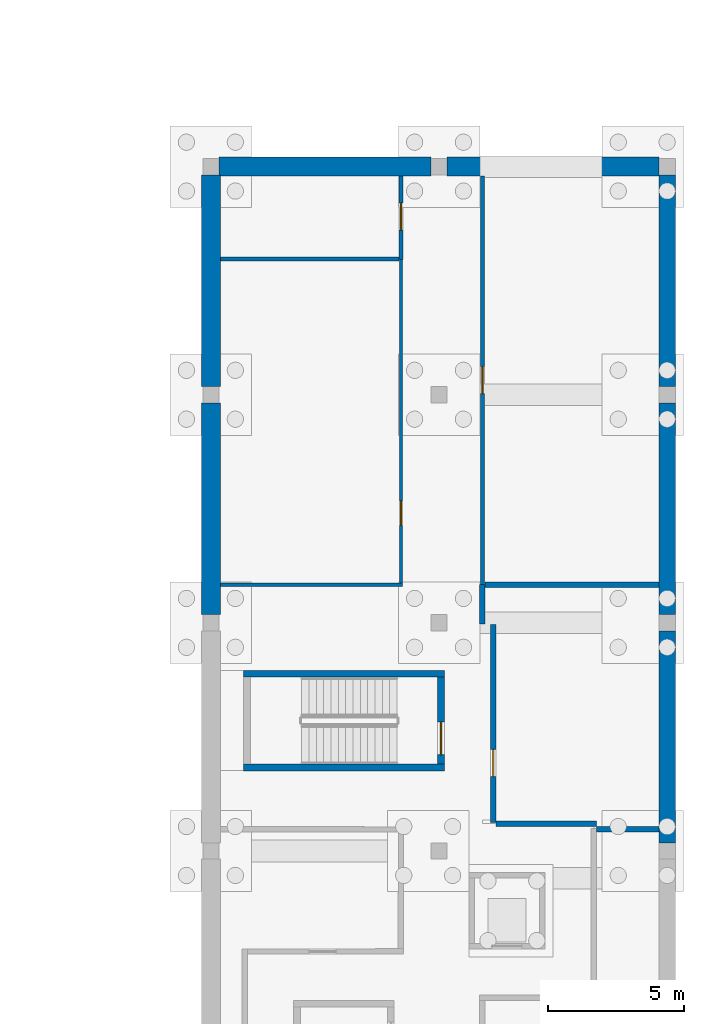
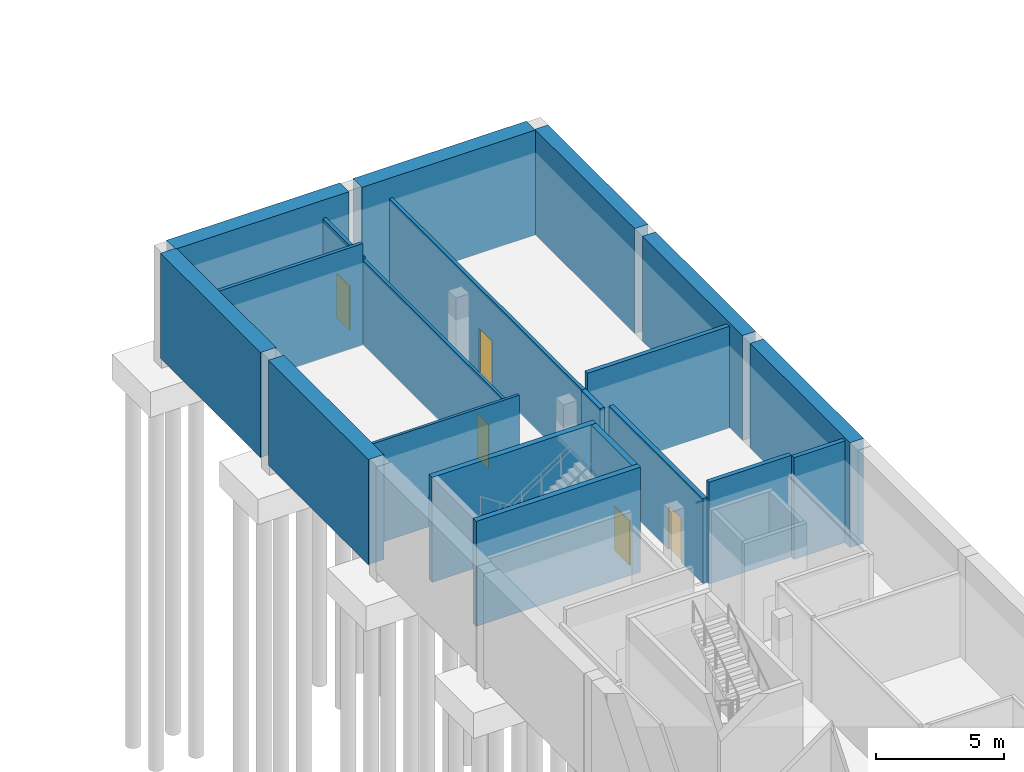
# One storey, part 13 of 33: 20 walls, 5 doors, 5 openings.
"""IFC4 building model written with IfcOpenShell, lengths in metres."""

from ifc_helpers import new_model, si_unit, direction, frame, frame_2d, origin, place, context, subcontext, project, spatial, rectangle, extrude, material, layer, layer_set, type_object, element, fill, save


model = new_model("IFC4")

# Units and contexts
model_context = context("Model", 3, precision=1e-05, world=origin(), true_north=direction((0.0, 1.0)))
body_context = subcontext(model_context, "Body", "Model", "MODEL_VIEW")
ifc_project = project(units=[si_unit("LENGTHUNIT", "METRE"), si_unit("AREAUNIT", "SQUARE_METRE"), si_unit("VOLUMEUNIT", "CUBIC_METRE"), si_unit("PLANEANGLEUNIT", "RADIAN"), si_unit("MASSUNIT", "GRAM", prefix="KILO")], contexts=[model_context])

# Site, building, storey
site_placement = place(None, origin())
site = spatial("IfcSite", under=ifc_project, at=site_placement, CompositionType="ELEMENT")
building_placement = place(site_placement, origin())
building = spatial("IfcBuilding", under=site, at=building_placement, Name="Larchfold Concert Hall", CompositionType="ELEMENT")
storey_placement = place(building_placement, frame((0.0, 0.0, -5.0)))
storey = spatial("IfcBuildingStorey", under=building, at=storey_placement, Name="B1", CompositionType="ELEMENT", Elevation=-5.0)

# Wall
ifc_material_1 = material(Name="Plasterboard partition on steel studs", Category="steel")
ifc_layer_1 = layer(ifc_material_1, 0.199951171875)
ifc_layer_set_1 = layer_set([ifc_layer_1], Name="Plasterboard partition on steel studs")
wall_type_1 = type_object("IfcWallType", Name="Acoustic partition 200", PredefinedType="PARTITIONING", material=ifc_layer_set_1)
wall_1_placement = place(storey_placement, frame((94.59912109375, 44.02001953125, 0.0), z_axis=(0.0, 0.0, 1.0), x_axis=(0.0, -1.0, 0.0)))
element("IfcWall", 1, at=wall_1_placement, inside=storey, type_object=wall_type_1, Name="Partition IW0069", PredefinedType="PARTITIONING", context=body_context, shape_type="SweptSolid", body=[
    extrude(rectangle(XDim=1.4609375, YDim=0.199951171875, at=frame_2d((0.73046875, 0.0))), origin(), (0.0, 0.0, 1.0), 4.0400390625),
])

# Wall, opening, door
wall_2_placement = place(storey_placement, frame((94.9990234375, 42.549072265625, 0.0), z_axis=(0.0, 0.0, 1.0), x_axis=(0.0, -1.0, 0.0)))
wall_2 = element("IfcWall", 2, at=wall_2_placement, inside=storey, type_object=wall_type_1, Name="Partition IW0070", PredefinedType="PARTITIONING", context=body_context, shape_type="SweptSolid", body=[
    extrude(rectangle(XDim=7.298095703125, YDim=0.199951171875, at=frame_2d((3.64892578125, 0.0))), origin(), (0.0, 0.0, 1.0), 4.0400390625),
])
opening_1_placement = place(wall_2_placement, frame((4.6083984375, 0.0, 0.0)))
opening_1 = element("IfcOpeningElement", 3, at=opening_1_placement, cuts=wall_2, Name="Opening D-B1-124", PredefinedType="OPENING", context=body_context, shape_type="SweptSolid", body=[
    extrude(rectangle(XDim=1.0, YDim=2.10009765625, at=frame_2d((0.5, 1.050048828125))), frame((0.0, 0.10986328125, 0.0), z_axis=(0.0, -1.0, 0.0), x_axis=(1.0, 0.0, 0.0)), (0.0, 0.0, 1.0), 0.219970703125),
])
ifc_material_2 = material(Name="Timber door leaf", Category="wood")
door_type_1 = type_object("IfcDoorType", Name="Practice and studio door, acoustic 1000 x 2100 FD30S", OperationType="SINGLE_SWING_LEFT", PredefinedType="DOOR", material=ifc_material_2)
door_1_placement = place(opening_1_placement, origin())
door_1 = element("IfcDoor", 4, at=door_1_placement, inside=storey, type_object=door_type_1, Name="Door D-B1-124", OperationType="SINGLE_SWING_LEFT", OverallHeight=2.10009765625, OverallWidth=1.0, PredefinedType="DOOR", context=body_context, shape_type="SweptSolid", body=[
    extrude(rectangle(XDim=1.0, YDim=2.10009765625, at=frame_2d((0.5, 1.050048828125))), frame((0.0, 0.02490234375, 0.0), z_axis=(0.0, -1.0, 0.0), x_axis=(1.0, 0.0, 0.0)), (0.0, 0.0, 1.0), 0.050048828125),
])
fill(opening_1, door_1)

# Walls
wall_3_placement = place(storey_placement, frame((95.098876953125, 35.207763671875, 0.0), z_axis=(0.0, 0.0, 1.0), x_axis=(0.999997020096, -0.002441270107, 0.0)))
element("IfcWall", 5, at=wall_3_placement, inside=storey, type_object=wall_type_1, Name="Partition IW0071", PredefinedType="PARTITIONING", context=body_context, shape_type="SweptSolid", body=[
    extrude(rectangle(XDim=3.7001953125, YDim=0.199951171875, at=frame_2d((1.85009765625, 0.0))), origin(), (0.0, 0.0, 1.0), 4.840087890625),
])
wall_4_placement = place(storey_placement, frame((98.800048828125, 35.0, 0.0), z_axis=(0.0, 0.0, 1.0), x_axis=(1.0, 0.0, 0.0)))
element("IfcWall", 6, at=wall_4_placement, inside=storey, type_object=wall_type_1, Name="Partition IW0076", PredefinedType="PARTITIONING", context=body_context, shape_type="SweptSolid", body=[
    extrude(rectangle(XDim=2.300048828125, YDim=0.199951171875, at=frame_2d((1.14990234375, 0.0))), origin(), (0.0, 0.0, 1.0), 4.840087890625),
])
wall_5_placement = place(storey_placement, frame((94.699951171875, 44.0, 0.0), z_axis=(0.0, 0.0, 1.0), x_axis=(1.0, 0.0, 0.0)))
element("IfcWall", 7, at=wall_5_placement, inside=storey, type_object=wall_type_1, Name="Partition IW0077", PredefinedType="PARTITIONING", context=body_context, shape_type="SweptSolid", body=[
    extrude(rectangle(XDim=6.400146484375, YDim=0.199951171875, at=frame_2d((3.2001953125, 0.0))), origin(), (0.0, 0.0, 1.0), 4.840087890625),
])
ifc_material_3 = material(Name="Plasterboard partition on steel studs", Category="steel")
ifc_layer_2 = layer(ifc_material_3, 0.125)
ifc_layer_set_2 = layer_set([ifc_layer_2], Name="Plasterboard partition on steel studs")
wall_type_2 = type_object("IfcWallType", Name="Corridor partition 125 EI 60", PredefinedType="PARTITIONING", material=ifc_layer_set_2)
wall_6_placement = place(storey_placement, frame((84.949951171875, 44.0, 0.0), z_axis=(0.0, 0.0, 1.0), x_axis=(0.999999808801, 0.00061838408, 0.0)))
element("IfcWall", 8, at=wall_6_placement, inside=storey, type_object=wall_type_2, Name="Partition IW0073", PredefinedType="PARTITIONING", context=body_context, shape_type="SweptSolid", body=[
    extrude(rectangle(XDim=6.711669921875, YDim=0.125, at=frame_2d((3.35595703125, 0.0))), origin(), (0.0, 0.0, 1.0), 4.840087890625),
])

# Wall, opening, door
wall_7_placement = place(storey_placement, frame((91.59912109375, 44.06640625, 0.0), z_axis=(0.0, 0.0, 1.0), x_axis=(8.1970572e-05, 0.99999999664, 0.0)))
wall_7 = element("IfcWall", 9, at=wall_7_placement, inside=storey, type_object=wall_type_2, Name="Partition IW0074", PredefinedType="PARTITIONING", context=body_context, shape_type="SweptSolid", body=[
    extrude(rectangle(XDim=11.91357421875, YDim=0.125, at=frame_2d((5.956787109375, 0.0))), origin(), (0.0, 0.0, 1.0), 4.0400390625),
])
opening_2_placement = place(wall_7_placement, frame((2.12353515625, 0.0, 0.0)))
opening_2 = element("IfcOpeningElement", 10, at=opening_2_placement, cuts=wall_7, Name="Opening D-B1-126", PredefinedType="OPENING", context=body_context, shape_type="SweptSolid", body=[
    extrude(rectangle(XDim=0.89990234375, YDim=2.10009765625, at=frame_2d((0.449951171875, 1.050048828125))), frame((0.0, 0.072509765625, 0.0), z_axis=(0.0, -1.0, 0.0), x_axis=(1.0, 0.0, 0.0)), (0.0, 0.0, 1.0), 0.14501953125),
])
ifc_material_4 = material(Name="Timber door leaf", Category="wood")
door_type_2 = type_object("IfcDoorType", Name="Public toilet door 900 x 2100 FD30S", OperationType="SINGLE_SWING_LEFT", PredefinedType="DOOR", material=ifc_material_4)
door_2_placement = place(opening_2_placement, origin())
door_2 = element("IfcDoor", 11, at=door_2_placement, inside=storey, type_object=door_type_2, Name="Door D-B1-126", OperationType="SINGLE_SWING_LEFT", OverallHeight=2.10009765625, OverallWidth=0.89990234375, PredefinedType="DOOR", context=body_context, shape_type="SweptSolid", body=[
    extrude(rectangle(XDim=0.89990234375, YDim=2.10009765625, at=frame_2d((0.449951171875, 1.050048828125))), frame((0.0, 0.02490234375, 0.0), z_axis=(0.0, -1.0, 0.0), x_axis=(1.0, 0.0, 0.0)), (0.0, 0.0, 1.0), 0.050048828125),
])
fill(opening_2, door_2)

ifc_material_5 = material(Name="Plasterboard partition on steel studs", Category="steel")
ifc_layer_3 = layer(ifc_material_5, 0.14990234375)
ifc_layer_set_3 = layer_set([ifc_layer_3], Name="Plasterboard partition on steel studs")
wall_type_3 = type_object("IfcWallType", Name="Shaft and plant partition 150 EI 120", PredefinedType="PARTITIONING", material=ifc_layer_set_3)
wall_8_placement = place(storey_placement, frame((91.60009765625, 55.97998046875, 0.0), z_axis=(0.0, 0.0, 1.0), x_axis=(0.0, 1.0, 0.0)))
wall_8 = element("IfcWall", 12, at=wall_8_placement, inside=storey, type_object=wall_type_3, Name="Partition IW0072", PredefinedType="PARTITIONING", context=body_context, shape_type="SweptSolid", body=[
    extrude(rectangle(XDim=3.070068359375, YDim=0.14990234375, at=frame_2d((1.53515625, 0.0))), origin(), (0.0, 0.0, 1.0), 4.139892578125),
])
opening_3_placement = place(wall_8_placement, frame((1.079833984375, 0.0, 0.0)))
opening_3 = element("IfcOpeningElement", 13, at=opening_3_placement, cuts=wall_8, Name="Opening D-B1-125", PredefinedType="OPENING", context=body_context, shape_type="SweptSolid", body=[
    extrude(rectangle(XDim=1.0, YDim=2.10009765625, at=frame_2d((0.5, 1.050048828125))), frame((0.0, 0.0849609375, 0.0), z_axis=(0.0, -1.0, 0.0), x_axis=(1.0, 0.0, 0.0)), (0.0, 0.0, 1.0), 0.169921875),
])
ifc_material_6 = material(Name="Timber door leaf", Category="wood")
door_type_3 = type_object("IfcDoorType", Name="Store door 1000 x 2100 FD60", OperationType="SINGLE_SWING_LEFT", PredefinedType="DOOR", material=ifc_material_6)
door_3_placement = place(opening_3_placement, origin())
door_3 = element("IfcDoor", 14, at=door_3_placement, inside=storey, type_object=door_type_3, Name="Door D-B1-125", OperationType="SINGLE_SWING_LEFT", OverallHeight=2.10009765625, OverallWidth=1.0, PredefinedType="DOOR", context=body_context, shape_type="SweptSolid", body=[
    extrude(rectangle(XDim=1.0, YDim=2.10009765625, at=frame_2d((0.5, 1.050048828125))), frame((0.0, 0.02490234375, 0.0), z_axis=(0.0, -1.0, 0.0), x_axis=(1.0, 0.0, 0.0)), (0.0, 0.0, 1.0), 0.050048828125),
])
fill(opening_3, door_3)

wall_9_placement = place(storey_placement, frame((94.60009765625, 59.050048828125, 0.0), z_axis=(0.0, 0.0, 1.0), x_axis=(-6.4974091e-05, -0.999999997889, 0.0)))
wall_9 = element("IfcWall", 15, at=wall_9_placement, inside=storey, type_object=wall_type_3, Name="Partition IW0075", PredefinedType="PARTITIONING", context=body_context, shape_type="SweptSolid", body=[
    extrude(rectangle(XDim=15.030029296875, YDim=0.14990234375, at=frame_2d((7.51513671875, 0.0))), origin(), (0.0, 0.0, 1.0), 4.0400390625),
])
opening_4_placement = place(wall_9_placement, frame((7.009521484375, 0.0, 0.0)))
opening_4 = element("IfcOpeningElement", 16, at=opening_4_placement, cuts=wall_9, Name="Opening D-B1-127", PredefinedType="OPENING", context=body_context, shape_type="SweptSolid", body=[
    extrude(rectangle(XDim=1.0, YDim=2.10009765625, at=frame_2d((0.5, 1.050048828125))), frame((0.0, 0.0849609375, 0.0), z_axis=(0.0, -1.0, 0.0), x_axis=(1.0, 0.0, 0.0)), (0.0, 0.0, 1.0), 0.169921875),
])
door_4_placement = place(opening_4_placement, origin())
door_4 = element("IfcDoor", 17, at=door_4_placement, inside=storey, type_object=door_type_3, Name="Door D-B1-127", OperationType="SINGLE_SWING_LEFT", OverallHeight=2.10009765625, OverallWidth=1.0, PredefinedType="DOOR", context=body_context, shape_type="SweptSolid", body=[
    extrude(rectangle(XDim=1.0, YDim=2.10009765625, at=frame_2d((0.5, 1.050048828125))), frame((0.0, 0.02490234375, 0.0), z_axis=(0.0, -1.0, 0.0), x_axis=(1.0, 0.0, 0.0)), (0.0, 0.0, 1.0), 0.050048828125),
])
fill(opening_4, door_4)

# Walls
wall_10_placement = place(storey_placement, frame((91.52490234375, 56.0, 0.0), z_axis=(0.0, 0.0, 1.0), x_axis=(-1.0, 0.0, 0.0)))
element("IfcWall", 18, at=wall_10_placement, inside=storey, type_object=wall_type_3, Name="Partition IW0078", PredefinedType="PARTITIONING", context=body_context, shape_type="SweptSolid", body=[
    extrude(rectangle(XDim=6.574951171875, YDim=0.14990234375, at=frame_2d((3.28759765625, 0.0))), origin(), (0.0, 0.0, 1.0), 4.840087890625),
])
ifc_material_7 = material(Name="Concrete C40/50", Category="concrete")
ifc_layer_4 = layer(ifc_material_7, 0.25)
ifc_layer_set_4 = layer_set([ifc_layer_4], Name="Concrete C40/50")
wall_type_4 = type_object("IfcWallType", Name="Wall RC 250 stair core", PredefinedType="SOLIDWALL", material=ifc_layer_set_4)
for number, where, z_axis, x_axis, name in (
    (19, (85.800048828125, 37.27490234375, 0.0), (0.0, 0.0, 1.0), (1.0, 0.0, 0.0), "Wall W0160"),
    (20, (85.800048828125, 40.72509765625, 0.0), (0.0, 0.0, 1.0), (1.0, 0.0, 0.0), "Wall W0161"),
):
    element("IfcWall", number, at=place(storey_placement, frame(where, z_axis=z_axis, x_axis=x_axis)), inside=storey, type_object=wall_type_4, Name=name, PredefinedType="SOLIDWALL", context=body_context, shape_type="SweptSolid", body=[
        extrude(rectangle(XDim=7.39990234375, YDim=0.25, at=frame_2d((3.699951171875, 0.0))), origin(), (0.0, 0.0, 1.0), 5.0),
    ])

# Wall, opening, door
wall_11_placement = place(storey_placement, frame((93.074951171875, 37.39990234375, 0.0), z_axis=(0.0, 0.0, 1.0), x_axis=(0.0, 1.0, 0.0)))
wall_11 = element("IfcWall", 21, at=wall_11_placement, inside=storey, type_object=wall_type_4, Name="Wall W0163", PredefinedType="SOLIDWALL", context=body_context, shape_type="SweptSolid", body=[
    extrude(rectangle(XDim=3.2001953125, YDim=0.25, at=frame_2d((1.60009765625, 0.0))), origin(), (0.0, 0.0, 1.0), 5.0),
])
opening_5_placement = place(wall_11_placement, frame((0.35009765625, 0.0, 0.0)))
opening_5 = element("IfcOpeningElement", 22, at=opening_5_placement, cuts=wall_11, Name="Opening D-B1-156", PredefinedType="OPENING", context=body_context, shape_type="SweptSolid", body=[
    extrude(rectangle(XDim=1.199951171875, YDim=2.10009765625, at=frame_2d((0.60009765625, 1.050048828125))), frame((0.0, 0.135009765625, 0.0), z_axis=(0.0, -1.0, 0.0), x_axis=(1.0, 0.0, 0.0)), (0.0, 0.0, 1.0), 0.27001953125),
])
ifc_material_8 = material(Name="Timber door leaf", Category="wood")
door_type_4 = type_object("IfcDoorType", Name="Stair enclosure door pair 1200 x 2100 FD60", OperationType="SINGLE_SWING_LEFT", PredefinedType="DOOR", material=ifc_material_8)
door_5_placement = place(opening_5_placement, origin())
door_5 = element("IfcDoor", 23, at=door_5_placement, inside=storey, type_object=door_type_4, Name="Door D-B1-156", OperationType="DOUBLE_DOOR_SINGLE_SWING", OverallHeight=2.10009765625, OverallWidth=1.199951171875, PredefinedType="DOOR", context=body_context, shape_type="SweptSolid", body=[
    extrude(rectangle(XDim=1.199951171875, YDim=2.10009765625, at=frame_2d((0.60009765625, 1.050048828125))), frame((0.0, 0.02490234375, 0.0), z_axis=(0.0, -1.0, 0.0), x_axis=(1.0, 0.0, 0.0)), (0.0, 0.0, 1.0), 0.050048828125),
])
fill(opening_5, door_5)

# Walls
ifc_material_9 = material(Name="Concrete C40/50", Category="concrete")
ifc_layer_5 = layer(ifc_material_9, 0.60009765625)
ifc_layer_set_5 = layer_set([ifc_layer_5], Name="Concrete C40/50")
wall_type_5 = type_object("IfcWallType", Name="Wall RC 600 party wall", PredefinedType="SOLIDWALL", material=ifc_layer_set_5)
for number, where, z_axis, x_axis, name in (
    (24, (101.39990234375, 34.5, 0.0), (0.0, 0.0, 1.0), (0.0, 1.0, 0.0), "Wall W0024"),
    (25, (101.39990234375, 42.89990234375, 0.0), (0.0, 0.0, 1.0), (0.0, 1.0, 0.0), "Wall W0025"),
    (26, (101.39990234375, 51.300048828125, 0.0), (0.0, 0.0, 1.0), (0.0, 1.0, 0.0), "Wall W0026"),
):
    element("IfcWall", number, at=place(storey_placement, frame(where, z_axis=z_axis, x_axis=x_axis)), inside=storey, type_object=wall_type_5, Name=name, PredefinedType="SOLIDWALL", context=body_context, shape_type="SweptSolid", body=[
        extrude(rectangle(XDim=7.800048828125, YDim=0.60009765625, at=frame_2d((3.89990234375, 0.0))), origin(), (0.0, 0.0, 1.0), 5.0),
    ])
ifc_material_10 = material(Name="Concrete C30/37", Category="concrete")
ifc_layer_6 = layer(ifc_material_10, 0.699951171875)
ifc_layer_set_6 = layer_set([ifc_layer_6], Name="Concrete C30/37")
wall_type_6 = type_object("IfcWallType", Name="Wall RC 700 retaining wall", PredefinedType="SOLIDWALL", material=ifc_layer_set_6)
for number, where, z_axis, x_axis, name in (
    (27, (84.60009765625, 42.89990234375, 0.0), (0.0, 0.0, 1.0), (0.0, 1.0, 0.0), "Wall W0114"),
    (28, (84.60009765625, 51.300048828125, 0.0), (0.0, 0.0, 1.0), (0.0, 1.0, 0.0), "Wall W0115"),
    (29, (84.89990234375, 59.39990234375, 0.0), (0.0, 0.0, 1.0), (1.0, 0.0, 0.0), "Wall W0116"),
    (30, (93.300048828125, 59.39990234375, 0.0), (0.0, 0.0, 1.0), (1.0, 0.0, 0.0), "Wall W0117"),
):
    element("IfcWall", number, at=place(storey_placement, frame(where, z_axis=z_axis, x_axis=x_axis)), inside=storey, type_object=wall_type_6, Name=name, PredefinedType="SOLIDWALL", context=body_context, shape_type="SweptSolid", body=[
        extrude(rectangle(XDim=7.800048828125, YDim=0.699951171875, at=frame_2d((3.89990234375, 0.0))), origin(), (0.0, 0.0, 1.0), 5.0),
    ])

save(model, "model.ifc")
